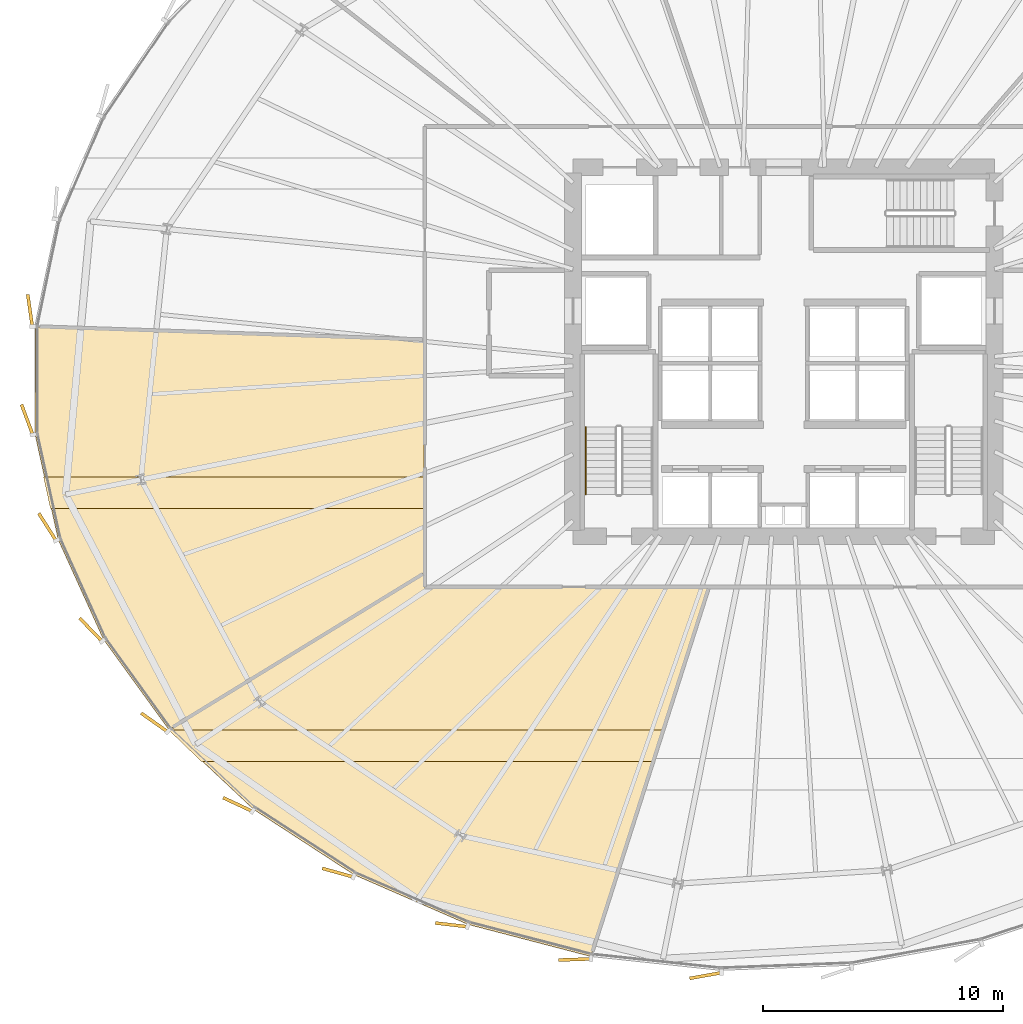
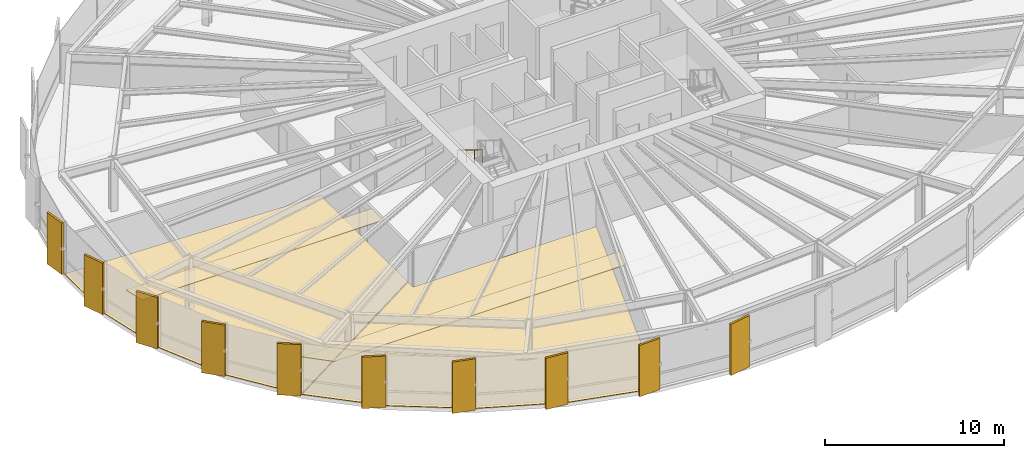
# One storey, part 33 of 37: 14 coverings, 1 railing.
"""IFC4 building model written with IfcOpenShell, lengths in metres."""

from ifc_helpers import new_model, si_unit, direction, frame, origin, origin_2d, place, context, subcontext, project, spatial, polyline, rectangle, circle, outline, extrude, source, transform, mapped, material, layer, layer_set, type_object, element, save


model = new_model("IFC4")

# Units and contexts
model_context = context("Model", 3, precision=1e-05, world=origin(), true_north=direction((0.0, 1.0)))
body_context = subcontext(model_context, "Body", "Model", "MODEL_VIEW")
ifc_project = project(units=[si_unit("LENGTHUNIT", "METRE"), si_unit("AREAUNIT", "SQUARE_METRE"), si_unit("VOLUMEUNIT", "CUBIC_METRE"), si_unit("PLANEANGLEUNIT", "RADIAN"), si_unit("MASSUNIT", "GRAM", prefix="KILO"), si_unit("THERMODYNAMICTEMPERATUREUNIT", "KELVIN")], contexts=[model_context])

# Site, building, storey
site_placement = place(None, origin())
site = spatial("IfcSite", under=ifc_project, at=site_placement, CompositionType="ELEMENT")
building_placement = place(site_placement, origin())
building = spatial("IfcBuilding", under=site, at=building_placement, Name="Kethvar Cultural Tower", CompositionType="ELEMENT")
storey_placement = place(building_placement, frame((0.0, 0.0, 56.199951171875)))
storey = spatial("IfcBuildingStorey", under=building, at=storey_placement, Name="L13", CompositionType="ELEMENT", Elevation=56.199951171875)

# Coverings
ifc_material_1 = material(Name="Acoustic Mineral Fibre Ceiling")
ifc_layer_1 = layer(ifc_material_1, 0.0400390625, Name="Acoustic Mineral Fibre Ceiling")
ifc_layer_set_1 = layer_set([ifc_layer_1], Name="Acoustic Mineral Fibre Ceiling (40 mm)")
covering_type_1 = type_object("IfcCoveringType", Name="CV-ACOUSTIC-CEIL", PredefinedType="CEILING", material=ifc_layer_set_1)
covering_1_placement = place(storey_placement, frame((0.0, 0.0, 2.56005859375)))
element("IfcCovering", 1, at=covering_1_placement, inside=storey, type_object=covering_type_1, Name="L13 Room 01 Acoustic Ceiling Panel", PredefinedType="CEILING", context=body_context, shape_type="SweptSolid", body=[
    extrude(outline(polyline([(22.48291015625, 10.70166015625), (21.126708984375, 12.01171875), (41.80029296875, 12.01171875), (41.3837890625, 10.70166015625), (22.48291015625, 10.70166015625)])), origin(), (0.0, 0.0, 1.0), 0.0400390625),
])
covering_2_placement = place(storey_placement, frame((0.0, 0.0, 2.56005859375)))
element("IfcCovering", 2, at=covering_2_placement, inside=storey, type_object=covering_type_1, Name="L13 Room 10 Acoustic Ceiling Panel", PredefinedType="CEILING", context=body_context, shape_type="SweptSolid", body=[
    extrude(outline(polyline([(15.902099609375, 22.569580078125), (31.830078125, 22.569580078125), (31.830078125, 21.259521484375), (16.18994140625, 21.259521484375), (15.902099609375, 22.569580078125)])), origin(), (0.0, 0.0, 1.0), 0.0400390625),
])
ifc_material_2 = material(Name="Architectural Oak Timber", Category="wood")
ifc_layer_2 = layer(ifc_material_2, 0.02490234375, Name="Architectural Oak Timber", Category="wood")
ifc_layer_set_2 = layer_set([ifc_layer_2], Name="Architectural Oak Timber (25 mm)")
covering_type_2 = type_object("IfcCoveringType", Name="CV-OAK-FLOOR", PredefinedType="FLOORING", material=ifc_layer_set_2)
covering_3_placement = place(storey_placement, origin())
element("IfcCovering", 3, at=covering_3_placement, inside=storey, type_object=covering_type_2, Name="L13 Room 01 Floor Finish", PredefinedType="FLOORING", context=body_context, shape_type="SweptSolid", body=[
    extrude(outline(polyline([(33.623291015625, 3.894287109375), (28.87841796875, 5.962890625), (24.6787109375, 8.69482421875), (21.168701171875, 11.99072265625), (31.7900390625, 18.5322265625), (31.81005859375, 17.9599609375), (43.64990234375, 17.9599609375), (38.751708984375, 2.556396484375), (33.623291015625, 3.894287109375)])), origin(), (0.0, 0.0, 1.0), 0.025146484375),
])
covering_4_placement = place(storey_placement, origin())
element("IfcCovering", 4, at=covering_4_placement, inside=storey, type_object=covering_type_2, Name="L13 Room 10 Floor Finish", PredefinedType="FLOORING", context=body_context, shape_type="SweptSolid", body=[
    extrude(outline(polyline([(18.40283203125, 15.79931640625), (16.517333984375, 19.95556640625), (15.5517578125, 24.35009765625), (15.53564453125, 28.830810546875), (31.7900390625, 28.284423828125), (31.7900390625, 18.5791015625), (21.14111328125, 12.020751953125), (18.40283203125, 15.79931640625)])), origin(), (0.0, 0.0, 1.0), 0.025146484375),
])

# Railing
ifc_material_3 = material(Name="Steel S355J2", Category="steel")
railing_type = type_object("IfcRailingType", Name="RL-STAIR-HANDRAIL", PredefinedType="HANDRAIL", material=ifc_material_3)
railing_placement = place(storey_placement, frame((38.5400390625, 24.64990234375, 2.07275390625)))
element("IfcRailing", 5, at=railing_placement, inside=storey, type_object=railing_type, Name="L13 ST-01 stair handrail 2", PredefinedType="HANDRAIL", context=body_context, shape_type="SweptSolid", body=[
    extrude(circle(Radius=0.02392578125, at=origin_2d()), frame((0.0, 0.0, 0.8759765625), z_axis=(0.0, -0.851069175582, 0.525053576669), x_axis=(1.0, 0.0, 0.0)), (0.0, 0.0, 1.0), 3.289794921875),
    extrude(circle(Radius=0.02099609375, at=origin_2d()), origin(), (0.0, 0.0, 1.0), 0.851806640625),
    extrude(circle(Radius=0.02099609375, at=origin_2d()), frame((0.0, -0.933349609375, 0.57568359375)), (0.0, 0.0, 1.0), 0.851806640625),
    extrude(circle(Radius=0.02099609375, at=origin_2d()), frame((0.0, -1.866455078125, 1.151611328125)), (0.0, 0.0, 1.0), 0.851806640625),
    extrude(circle(Radius=0.02099609375, at=origin_2d()), frame((0.0, -2.7998046875, 1.727294921875)), (0.0, 0.0, 1.0), 0.851806640625),
])

# Coverings
ifc_material_4 = material(Name="Extruded Architectural Terracotta", Category="masonry")
ifc_layer_3 = layer(ifc_material_4, 0.135009765625, Name="Extruded Architectural Terracotta", Category="masonry")
ifc_layer_set_3 = layer_set([ifc_layer_3], Name="Extruded Architectural Terracotta (135 mm)")
covering_type_3 = type_object("IfcCoveringType", Name="Terracotta Facade Fin FIN-01", PredefinedType="CLADDING", material=ifc_layer_set_3)
shared_shape = source(origin(), body_context, "Body", "SweptSolid", [
    extrude(rectangle(XDim=1.35009765625, YDim=0.135009765625, at=origin_2d()), origin(), (0.0, 0.0, 1.0), 3.510009765625),
])
for number, where, z_axis, x_axis, name in (
    (6, (15.339111328125, 29.519287109375, 0.02001953125), (0.0, 0.0, 1.0), (-0.142801680073, 0.989751322388, 0.0), "L13 Vertical Terracotta Fin 4.4"),
    (7, (15.218505859375, 24.963623046875, 0.02001953125), (0.0, 0.0, 1.0), (-0.348408455446, 0.937342812515, 0.0), "L13 Vertical Terracotta Fin 4.5"),
    (8, (16.063720703125, 20.486083984375, 0.02001953125), (0.0, 0.0, 1.0), (-0.535826794979, 0.844327925502, 0.0), "L13 Vertical Terracotta Fin 4.6"),
    (9, (17.877197265625, 16.194091796875, 0.02001953125), (0.0, 0.0, 1.0), (-0.693779012888, 0.720187948577, 0.0), "L13 Vertical Terracotta Fin 5.1"),
    (10, (20.529541015625, 12.32470703125, 0.02001953125), (0.0, 0.0, 1.0), (-0.817144898335, 0.57643231617, 0.0), "L13 Vertical Terracotta Fin 5.2"),
    (11, (24.010986328125, 8.897705078125, 0.02001953125), (0.0, 0.0, 1.0), (-0.906012522993, 0.423250880897, 0.0), "L13 Vertical Terracotta Fin 5.3"),
    (12, (28.186767578125, 6.052978515625, 0.02001953125), (0.0, 0.0, 1.0), (-0.963350073517, 0.268247340815, 0.0), "L13 Vertical Terracotta Fin 5.4"),
    (13, (32.926025390625, 3.875732421875, 0.02001953125), (0.0, 0.0, 1.0), (-0.993332584447, 0.115283895993, 0.0), "L13 Vertical Terracotta Fin 5.5"),
    (14, (38.081787109375, 2.43017578125, 0.02001953125), (0.0, 0.0, 1.0), (-0.999444414049, -0.033329614852, 0.0), "L13 Vertical Terracotta Fin 5.6"),
    (15, (43.5380859375, 1.75927734375, 0.02001953125), (0.0, 0.0, 1.0), (-0.984195607969, -0.17708474032, 0.0), "L13 Vertical Terracotta Fin 6.1"),
):
    element("IfcCovering", number, at=place(storey_placement, frame(where, z_axis=z_axis, x_axis=x_axis)), inside=storey, type_object=covering_type_3, Name=name, PredefinedType="CLADDING", context=body_context, shape_type="MappedRepresentation", body=[
        mapped(shared_shape, transform((0.0, 0.0, 0.0), scale=1.0)),
    ])

save(model, "model.ifc")
